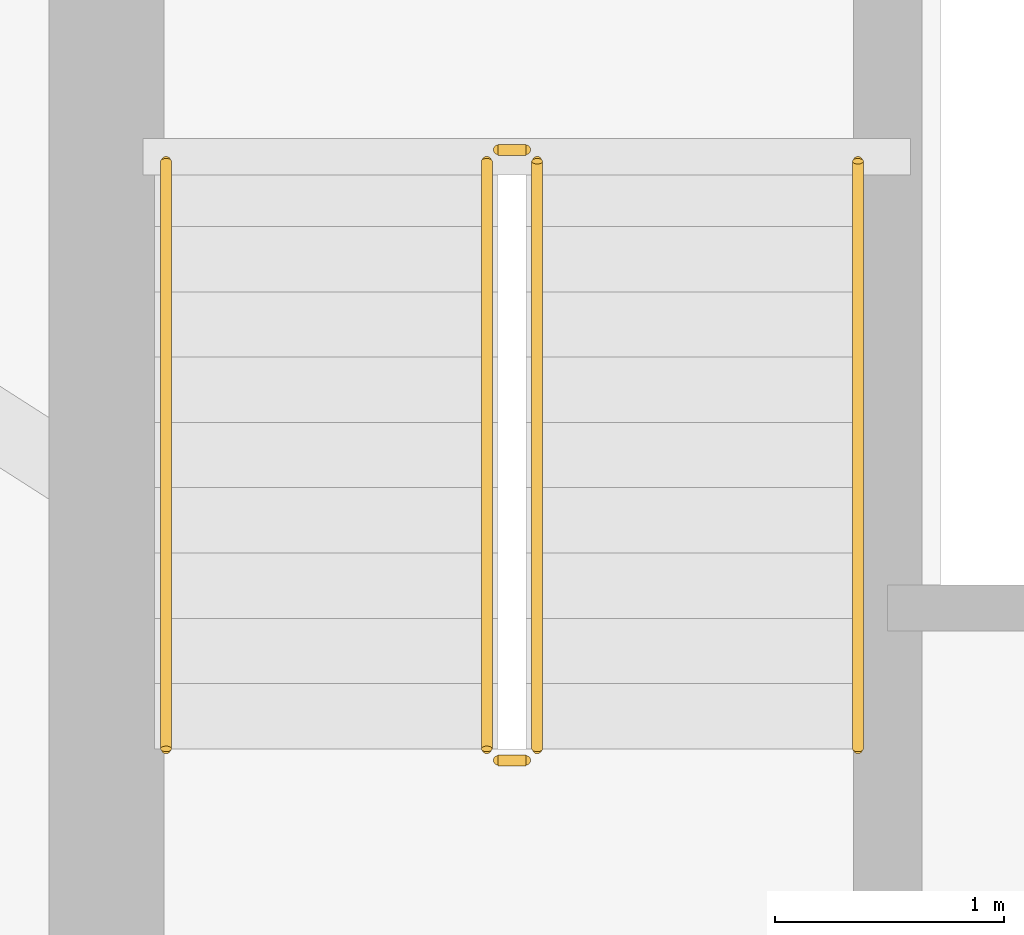
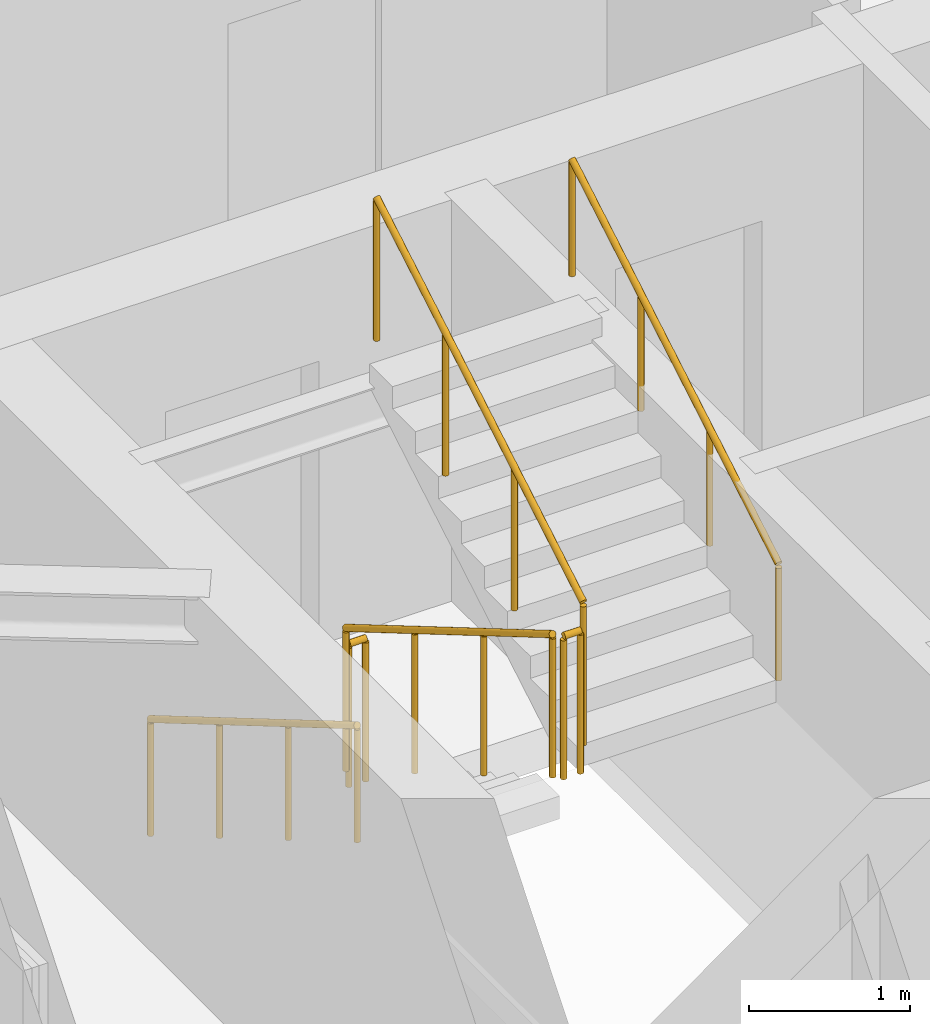
# One storey, part 10 of 11: 6 railings.
"""IFC4 building model written with IfcOpenShell, lengths in metres."""

from ifc_helpers import new_model, si_unit, direction, frame, origin, origin_2d, place, context, subcontext, project, spatial, circle, extrude, material, type_object, element, save


model = new_model("IFC4")

# Units and contexts
model_context = context("Model", 3, precision=1e-05, world=origin(), true_north=direction((0.0, 1.0)))
body_context = subcontext(model_context, "Body", "Model", "MODEL_VIEW")
ifc_project = project(units=[si_unit("LENGTHUNIT", "METRE"), si_unit("AREAUNIT", "SQUARE_METRE"), si_unit("VOLUMEUNIT", "CUBIC_METRE"), si_unit("PLANEANGLEUNIT", "RADIAN"), si_unit("MASSUNIT", "GRAM", prefix="KILO")], contexts=[model_context])

# Site, building, storey
site_placement = place(None, origin())
site = spatial("IfcSite", under=ifc_project, at=site_placement, CompositionType="ELEMENT")
building_placement = place(site_placement, origin())
building = spatial("IfcBuilding", under=site, at=building_placement, Name="Qobustan Lattice House", CompositionType="ELEMENT")
storey_placement = place(building_placement, frame((0.0, 0.0, 216.5)))
storey = spatial("IfcBuildingStorey", under=building, at=storey_placement, Name="L61", CompositionType="ELEMENT", Elevation=216.5)

# Railings
ifc_material_1 = material(Name="Brushed stainless steel handrail", Category="steel")
railing_type_1 = type_object("IfcRailingType", Name="RAL-HR-920", PredefinedType="HANDRAIL", material=ifc_material_1)
railing_1_placement = place(storey_placement, frame((-18.199951171875, 3.5, 0.16748046875)))
element("IfcRailing", 1, at=railing_1_placement, inside=storey, type_object=railing_type_1, Name="L61 ST-W1 stair handrail 1", PredefinedType="HANDRAIL", context=body_context, shape_type="SweptSolid", body=[
    extrude(circle(Radius=0.02392578125, at=origin_2d()), frame((0.0, 0.0, 0.8759765625), z_axis=(0.0, -0.862113467892, 0.50671527358), x_axis=(1.0, 0.0, 0.0)), (0.0, 0.0, 1.0), 2.97509765625),
    extrude(circle(Radius=0.02099609375, at=origin_2d()), origin(), (0.0, 0.0, 1.0), 0.851806640625),
    extrude(circle(Radius=0.02099609375, at=origin_2d()), frame((0.0, -0.85498046875, 0.50244140625)), (0.0, 0.0, 1.0), 0.851806640625),
    extrude(circle(Radius=0.02099609375, at=origin_2d()), frame((0.0, -1.7099609375, 1.005126953125)), (0.0, 0.0, 1.0), 0.851806640625),
    extrude(circle(Radius=0.02099609375, at=origin_2d()), frame((0.0, -2.56494140625, 1.507568359375)), (0.0, 0.0, 1.0), 0.851806640625),
])
railing_2_placement = place(storey_placement, frame((-15.179931640625, 0.93505859375, 1.842529296875)))
element("IfcRailing", 2, at=railing_2_placement, inside=storey, type_object=railing_type_1, Name="L61 ST-W1 stair handrail 2", PredefinedType="HANDRAIL", context=body_context, shape_type="SweptSolid", body=[
    extrude(circle(Radius=0.02392578125, at=origin_2d()), frame((0.0, 0.0, 0.8759765625), z_axis=(0.0, 0.862113467892, 0.50671527358), x_axis=(-1.0, 0.0, 0.0)), (0.0, 0.0, 1.0), 2.97509765625),
    extrude(circle(Radius=0.02099609375, at=origin_2d()), origin(), (0.0, 0.0, 1.0), 0.851806640625),
    extrude(circle(Radius=0.02099609375, at=origin_2d()), frame((0.0, 0.85498046875, 0.50244140625)), (0.0, 0.0, 1.0), 0.851806640625),
    extrude(circle(Radius=0.02099609375, at=origin_2d()), frame((0.0, 1.7099609375, 1.005126953125)), (0.0, 0.0, 1.0), 0.851806640625),
    extrude(circle(Radius=0.02099609375, at=origin_2d()), frame((0.0, 2.56494140625, 1.507568359375)), (0.0, 0.0, 1.0), 0.851806640625),
])
ifc_material_2 = material(Name="Painted galvanized steel guardrail", Category="steel")
railing_type_2 = type_object("IfcRailingType", Name="RAL-STG-1150", PredefinedType="GUARDRAIL", material=ifc_material_2)
railing_3_placement = place(storey_placement, frame((-16.800048828125, 3.5, 0.16748046875)))
element("IfcRailing", 3, at=railing_3_placement, inside=storey, type_object=railing_type_2, Name="L61 ST-W1 stair guard 1", PredefinedType="GUARDRAIL", context=body_context, shape_type="SweptSolid", body=[
    extrude(circle(Radius=0.02392578125, at=origin_2d()), frame((0.0, 0.0, 1.076171875), z_axis=(0.0, -0.862113467892, 0.50671527358), x_axis=(1.0, 0.0, 0.0)), (0.0, 0.0, 1.0), 2.97509765625),
    extrude(circle(Radius=0.02099609375, at=origin_2d()), origin(), (0.0, 0.0, 1.0), 1.052001953125),
    extrude(circle(Radius=0.02099609375, at=origin_2d()), frame((0.0, -0.85498046875, 0.50244140625)), (0.0, 0.0, 1.0), 1.052001953125),
    extrude(circle(Radius=0.02099609375, at=origin_2d()), frame((0.0, -1.7099609375, 1.005126953125)), (0.0, 0.0, 1.0), 1.052001953125),
    extrude(circle(Radius=0.02099609375, at=origin_2d()), frame((0.0, -2.56494140625, 1.507568359375)), (0.0, 0.0, 1.0), 1.052001953125),
])
railing_4_placement = place(storey_placement, frame((-16.75, 0.885009765625, 1.675048828125)))
element("IfcRailing", 4, at=railing_4_placement, inside=storey, type_object=railing_type_2, Name="L61 ST-W1 stair guard 2", PredefinedType="GUARDRAIL", context=body_context, shape_type="SweptSolid", body=[
    extrude(circle(Radius=0.02392578125, at=origin_2d()), frame((0.0, 0.0, 1.076171875), z_axis=(1.0, 0.0, 0.0), x_axis=(0.0, 1.0, 0.0)), (0.0, 0.0, 1.0), 0.1201171875),
    extrude(circle(Radius=0.02099609375, at=origin_2d()), origin(), (0.0, 0.0, 1.0), 1.052001953125),
    extrude(circle(Radius=0.02099609375, at=origin_2d()), frame((0.1201171875, 0.0, 0.0)), (0.0, 0.0, 1.0), 1.052001953125),
])
railing_5_placement = place(storey_placement, frame((-16.580078125, 0.93505859375, 1.842529296875)))
element("IfcRailing", 5, at=railing_5_placement, inside=storey, type_object=railing_type_2, Name="L61 ST-W1 stair guard 3", PredefinedType="GUARDRAIL", context=body_context, shape_type="SweptSolid", body=[
    extrude(circle(Radius=0.02392578125, at=origin_2d()), frame((0.0, 0.0, 1.076171875), z_axis=(0.0, 0.862113467892, 0.50671527358), x_axis=(-1.0, 0.0, 0.0)), (0.0, 0.0, 1.0), 2.97509765625),
    extrude(circle(Radius=0.02099609375, at=origin_2d()), origin(), (0.0, 0.0, 1.0), 1.052001953125),
    extrude(circle(Radius=0.02099609375, at=origin_2d()), frame((0.0, 0.85498046875, 0.50244140625)), (0.0, 0.0, 1.0), 1.052001953125),
    extrude(circle(Radius=0.02099609375, at=origin_2d()), frame((0.0, 1.7099609375, 1.005126953125)), (0.0, 0.0, 1.0), 1.052001953125),
    extrude(circle(Radius=0.02099609375, at=origin_2d()), frame((0.0, 2.56494140625, 1.507568359375)), (0.0, 0.0, 1.0), 1.052001953125),
])
railing_6_placement = place(storey_placement, frame((-16.75, 3.550048828125, 0.0)))
element("IfcRailing", 6, at=railing_6_placement, inside=storey, type_object=railing_type_2, Name="L61 ST-W1 stair guard 4", PredefinedType="GUARDRAIL", context=body_context, shape_type="SweptSolid", body=[
    extrude(circle(Radius=0.02392578125, at=origin_2d()), frame((0.0, 0.0, 1.076171875), z_axis=(1.0, 0.0, 0.0), x_axis=(0.0, 1.0, 0.0)), (0.0, 0.0, 1.0), 0.1201171875),
    extrude(circle(Radius=0.02099609375, at=origin_2d()), origin(), (0.0, 0.0, 1.0), 1.052001953125),
    extrude(circle(Radius=0.02099609375, at=origin_2d()), frame((0.1201171875, 0.0, 0.0)), (0.0, 0.0, 1.0), 1.052001953125),
])

save(model, "model.ifc")
